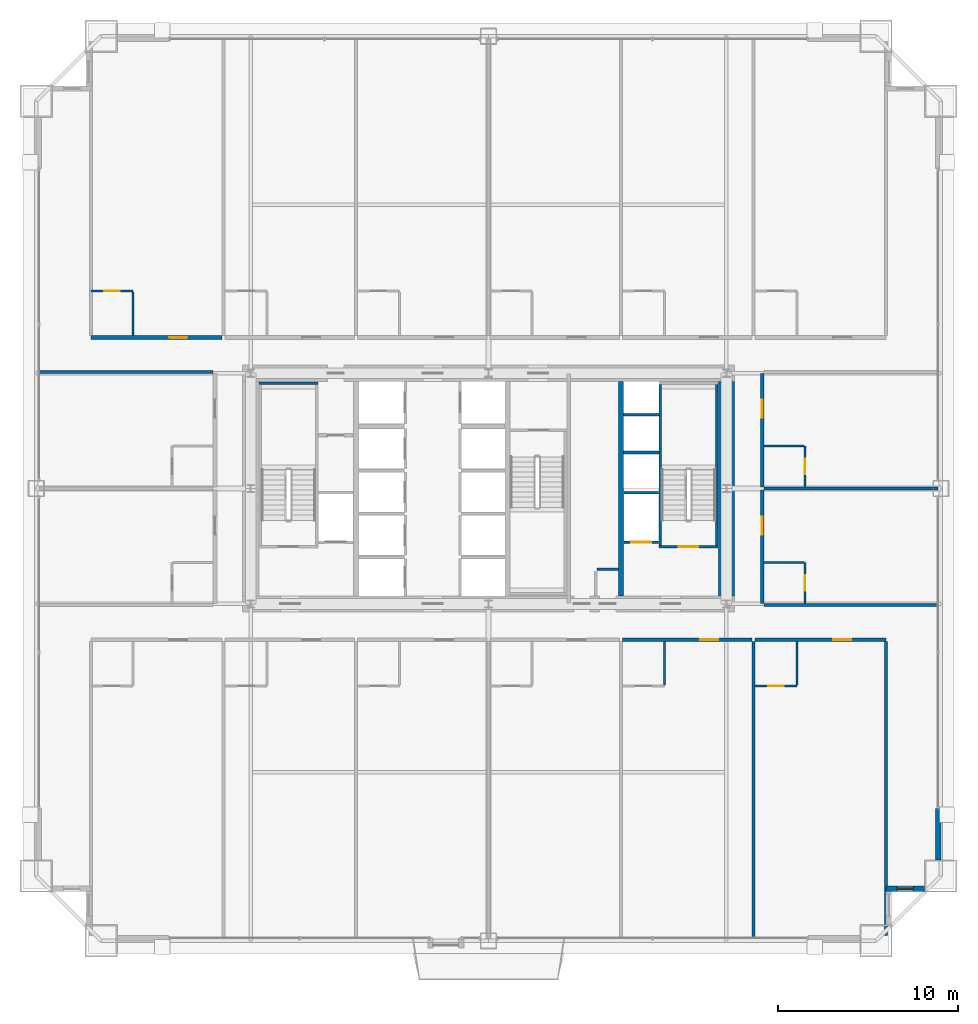
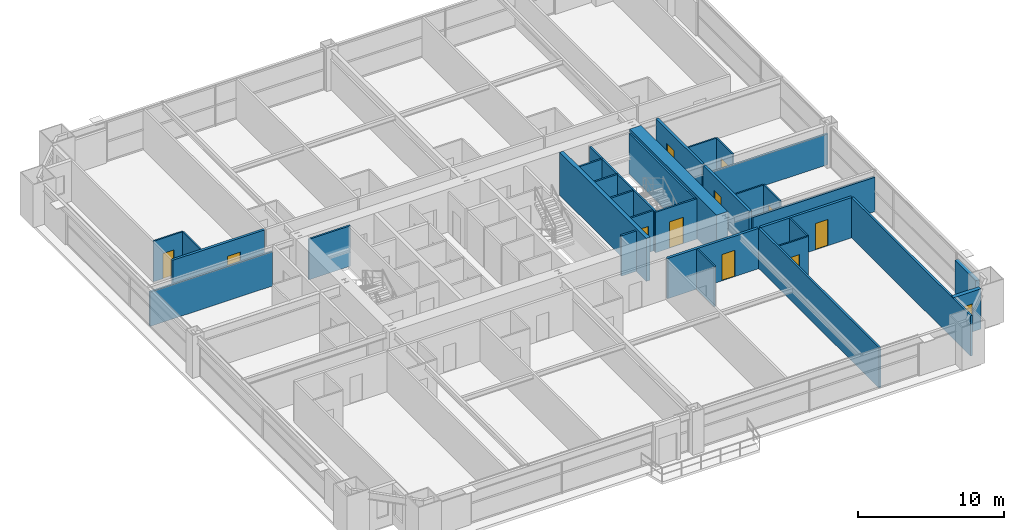
# One storey, part 42 of 45: 32 walls, 11 doors, 1 window, 12 openings.
"""IFC4 building model written with IfcOpenShell, lengths in metres."""

from ifc_helpers import new_model, si_unit, direction, frame, frame_2d, origin, place, context, subcontext, project, spatial, rectangle, extrude, source, transform, mapped, material, layer, layer_set, type_object, element, fill, save


model = new_model("IFC4")

# Units and contexts
model_context = context("Model", 3, precision=1e-05, world=origin(), true_north=direction((0.0, 1.0)))
body_context = subcontext(model_context, "Body", "Model", "MODEL_VIEW")
ifc_project = project(units=[si_unit("LENGTHUNIT", "METRE"), si_unit("AREAUNIT", "SQUARE_METRE"), si_unit("VOLUMEUNIT", "CUBIC_METRE"), si_unit("PLANEANGLEUNIT", "RADIAN"), si_unit("MASSUNIT", "GRAM", prefix="KILO"), si_unit("THERMODYNAMICTEMPERATUREUNIT", "KELVIN"), si_unit("POWERUNIT", "WATT")], contexts=[model_context])

# Site, building, storey
site_placement = place(None, origin())
site = spatial("IfcSite", under=ifc_project, at=site_placement, CompositionType="ELEMENT")
building_placement = place(site_placement, origin())
building = spatial("IfcBuilding", under=site, at=building_placement, Name="Yuzanri Waterfront Tower", CompositionType="ELEMENT")
storey_placement = place(building_placement, frame((0.0, 0.0, 34.199951171875)))
storey = spatial("IfcBuildingStorey", under=building, at=storey_placement, Name="L08", CompositionType="ELEMENT", Elevation=34.199951171875)

# Wall, opening, door
ifc_material_1 = material(Name="Moisture-Resistant Gypsum Stud Wall", Category="gypsum")
ifc_layer_1 = layer(ifc_material_1, 0.1201171875)
ifc_layer_set_1 = layer_set([ifc_layer_1], Name="Moisture-Resistant Gypsum Stud Wall")
wall_type_1 = type_object("IfcWallType", Name="Bathroom and Kitchen Wet Partition 120", PredefinedType="PARTITIONING", material=ifc_layer_set_1)
wall_1_placement = place(storey_placement, frame((51.787109375, 14.840087890625, 0.0), z_axis=(0.0, 0.0, 1.0), x_axis=(1.0, 0.0, 0.0)))
wall_1 = element("IfcWall", 1, at=wall_1_placement, inside=storey, type_object=wall_type_1, Name="L08 Partition UW-L08-S6-BS", PredefinedType="PARTITIONING", context=body_context, shape_type="SweptSolid", body=[
    extrude(rectangle(XDim=2.329833984375, YDim=0.1201171875, at=frame_2d((1.1650390625, 0.0))), origin(), (0.0, 0.0, 1.0), 3.380126953125),
])
opening_1_placement = place(wall_1_placement, frame((0.739990234375, 0.0, 0.0)))
opening_1 = element("IfcOpeningElement", 2, at=opening_1_placement, cuts=wall_1, Name="Opening ID-0850", PredefinedType="OPENING", context=body_context, shape_type="SweptSolid", body=[
    extrude(rectangle(XDim=0.85009765625, YDim=2.10009765625, at=frame_2d((0.425048828125, 1.050048828125))), frame((0.0, 0.074951171875, 0.0), z_axis=(0.0, -1.0, 0.0), x_axis=(1.0, 0.0, 0.0)), (0.0, 0.0, 1.0), 0.14990234375),
])
ifc_material_2 = material(Name="Moisture-Resistant Lacquered Timber", Category="wood")
door_type_1 = type_object("IfcDoorType", Name="En-Suite Bathroom and Kitchen Swing Door 850x2100", OperationType="NOTDEFINED", PredefinedType="DOOR", material=ifc_material_2)
shared_shape_1 = source(origin(), body_context, "Body", "SweptSolid", [
    extrude(rectangle(XDim=0.85009765625, YDim=2.10009765625, at=frame_2d((0.425048828125, 1.050048828125))), frame((0.0, 0.02490234375, 0.0), z_axis=(0.0, -1.0, 0.0), x_axis=(1.0, 0.0, 0.0)), (0.0, 0.0, 1.0), 0.050048828125),
])
door_1_placement = place(opening_1_placement, origin())
door_1 = element("IfcDoor", 3, at=door_1_placement, inside=storey, type_object=door_type_1, Name="L08 Guest En-Suite Door", OperationType="SINGLE_SWING_LEFT", OverallHeight=2.10009765625, OverallWidth=0.85009765625, PredefinedType="DOOR", context=body_context, shape_type="MappedRepresentation", body=[
    mapped(shared_shape_1, transform((0.0, 0.0, 0.0), scale=1.0)),
])
fill(opening_1, door_1)

wall_2_placement = place(storey_placement, frame((14.93994140625, 36.760009765625, 0.0), z_axis=(0.0, 0.0, 1.0), x_axis=(1.0, 0.0, 0.0)))
wall_2 = element("IfcWall", 4, at=wall_2_placement, inside=storey, type_object=wall_type_1, Name="L08 Partition UW-L08-N1-BN", PredefinedType="PARTITIONING", context=body_context, shape_type="SweptSolid", body=[
    extrude(rectangle(XDim=2.330078125, YDim=0.1201171875, at=frame_2d((1.1650390625, 0.0))), origin(), (0.0, 0.0, 1.0), 3.380126953125),
])
opening_2_placement = place(wall_2_placement, frame((0.739990234375, 0.0, 0.0)))
opening_2 = element("IfcOpeningElement", 5, at=opening_2_placement, cuts=wall_2, Name="Opening ID-0850", PredefinedType="OPENING", context=body_context, shape_type="SweptSolid", body=[
    extrude(rectangle(XDim=0.85009765625, YDim=2.10009765625, at=frame_2d((0.425048828125, 1.050048828125))), frame((0.0, 0.074951171875, 0.0), z_axis=(0.0, -1.0, 0.0), x_axis=(1.0, 0.0, 0.0)), (0.0, 0.0, 1.0), 0.14990234375),
])
door_2_placement = place(opening_2_placement, origin())
door_2 = element("IfcDoor", 6, at=door_2_placement, inside=storey, type_object=door_type_1, Name="L08 Guest En-Suite Door", OperationType="SINGLE_SWING_LEFT", OverallHeight=2.10009765625, OverallWidth=0.85009765625, PredefinedType="DOOR", context=body_context, shape_type="MappedRepresentation", body=[
    mapped(shared_shape_1, transform((0.0, 0.0, 0.0), scale=1.0)),
])
fill(opening_2, door_2)

wall_3_placement = place(storey_placement, frame((54.56005859375, 19.409912109375, 0.0), z_axis=(0.0, 0.0, 1.0), x_axis=(0.0, 1.0, 0.0)))
wall_3 = element("IfcWall", 7, at=wall_3_placement, inside=storey, type_object=wall_type_1, Name="L08 Partition UW-L08-E1-BE2", PredefinedType="PARTITIONING", context=body_context, shape_type="SweptSolid", body=[
    extrude(rectangle(XDim=2.280029296875, YDim=0.1201171875, at=frame_2d((1.14013671875, 0.0))), origin(), (0.0, 0.0, 1.0), 3.380126953125),
])
opening_3_placement = place(wall_3_placement, frame((0.715087890625, 0.0, 0.0)))
opening_3 = element("IfcOpeningElement", 8, at=opening_3_placement, cuts=wall_3, Name="Opening ID-0850", PredefinedType="OPENING", context=body_context, shape_type="SweptSolid", body=[
    extrude(rectangle(XDim=0.85009765625, YDim=2.10009765625, at=frame_2d((0.425048828125, 1.050048828125))), frame((0.0, 0.074951171875, 0.0), z_axis=(0.0, -1.0, 0.0), x_axis=(1.0, 0.0, 0.0)), (0.0, 0.0, 1.0), 0.14990234375),
])
door_3_placement = place(opening_3_placement, origin())
door_3 = element("IfcDoor", 9, at=door_3_placement, inside=storey, type_object=door_type_1, Name="L08 Guest En-Suite Door", OperationType="SINGLE_SWING_LEFT", OverallHeight=2.10009765625, OverallWidth=0.85009765625, PredefinedType="DOOR", context=body_context, shape_type="MappedRepresentation", body=[
    mapped(shared_shape_1, transform((0.0, 0.0, 0.0), scale=1.0)),
])
fill(opening_3, door_3)

wall_4_placement = place(storey_placement, frame((54.56005859375, 25.8798828125, 0.0), z_axis=(0.0, 0.0, 1.0), x_axis=(0.0, 1.0, 0.0)))
wall_4 = element("IfcWall", 10, at=wall_4_placement, inside=storey, type_object=wall_type_1, Name="L08 Partition UW-L08-E2-BE2", PredefinedType="PARTITIONING", context=body_context, shape_type="SweptSolid", body=[
    extrude(rectangle(XDim=2.280029296875, YDim=0.1201171875, at=frame_2d((1.14013671875, 0.0))), origin(), (0.0, 0.0, 1.0), 3.380126953125),
])
opening_4_placement = place(wall_4_placement, frame((0.715087890625, 0.0, 0.0)))
opening_4 = element("IfcOpeningElement", 11, at=opening_4_placement, cuts=wall_4, Name="Opening ID-0850", PredefinedType="OPENING", context=body_context, shape_type="SweptSolid", body=[
    extrude(rectangle(XDim=0.85009765625, YDim=2.10009765625, at=frame_2d((0.425048828125, 1.050048828125))), frame((0.0, 0.074951171875, 0.0), z_axis=(0.0, -1.0, 0.0), x_axis=(1.0, 0.0, 0.0)), (0.0, 0.0, 1.0), 0.14990234375),
])
door_4_placement = place(opening_4_placement, origin())
door_4 = element("IfcDoor", 12, at=door_4_placement, inside=storey, type_object=door_type_1, Name="L08 Guest En-Suite Door", OperationType="SINGLE_SWING_LEFT", OverallHeight=2.10009765625, OverallWidth=0.85009765625, PredefinedType="DOOR", context=body_context, shape_type="MappedRepresentation", body=[
    mapped(shared_shape_1, transform((0.0, 0.0, 0.0), scale=1.0)),
])
fill(opening_4, door_4)

# Wall, opening, window
ifc_material_3 = material(Name="Honed Chongqing Dark Basalt Stone", Category="masonry")
ifc_layer_2 = layer(ifc_material_3, 0.300048828125)
ifc_layer_set_2 = layer_set([ifc_layer_2], Name="Honed Chongqing Dark Basalt Stone")
wall_type_2 = type_object("IfcWallType", Name="Bronze Rainscreen Insulated Spandrel Portal Wall 300", PredefinedType="SOLIDWALL", material=ifc_layer_set_2)
wall_5_placement = place(storey_placement, frame((59.050048828125, 3.60009765625, 0.0), z_axis=(0.0, 0.0, 1.0), x_axis=(1.0, 0.0, 0.0)))
wall_5 = element("IfcWall", 13, at=wall_5_placement, inside=storey, type_object=wall_type_2, Name="L08 Notched Corner Masonry Wall SE-X", PredefinedType="SOLIDWALL", context=body_context, shape_type="SweptSolid", body=[
    extrude(rectangle(XDim=2.14990234375, YDim=0.300048828125, at=frame_2d((1.074951171875, 0.0))), origin(), (0.0, 0.0, 1.0), 3.380126953125),
])
opening_5_placement = place(wall_5_placement, frame((0.625, 0.0, 0.85009765625)))
opening_5 = element("IfcOpeningElement", 14, at=opening_5_placement, cuts=wall_5, Name="Opening WN-05", PredefinedType="OPENING", context=body_context, shape_type="SweptSolid", body=[
    extrude(rectangle(XDim=0.89990234375, YDim=1.5, at=frame_2d((0.449951171875, 0.75))), frame((0.0, 0.1650390625, 0.0), z_axis=(0.0, -1.0, 0.0), x_axis=(1.0, 0.0, 0.0)), (0.0, 0.0, 1.0), 0.329833984375),
])
ifc_material_4 = material(Name="Double-Silver Low-E Insulated Glass", Category="glass")
window_type = type_object("IfcWindowType", Name="Anodized Bronze Service and Stairwell Smoke-Vent Window 900x1500", PartitioningType="SINGLE_PANEL", PredefinedType="WINDOW", material=ifc_material_4)
shared_shape_2 = source(origin(), body_context, "Body", "SweptSolid", [
    extrude(rectangle(XDim=0.89990234375, YDim=1.5, at=frame_2d((0.449951171875, 0.75))), frame((0.0, 0.030029296875, 0.0), z_axis=(0.0, -1.0, 0.0), x_axis=(1.0, 0.0, 0.0)), (0.0, 0.0, 1.0), 0.06005859375),
])
window_placement = place(opening_5_placement, origin())
window = element("IfcWindow", 15, at=window_placement, inside=storey, type_object=window_type, Name="L08 Notched Corner Window SE-X", OverallHeight=1.5, OverallWidth=0.89990234375, PartitioningType="SINGLE_PANEL", PredefinedType="WINDOW", context=body_context, shape_type="MappedRepresentation", body=[
    mapped(shared_shape_2, transform((0.0, 0.0, 0.0), scale=1.0)),
])
fill(opening_5, window)

# Wall, opening, door
ifc_material_5 = material(Name="Concrete C40", Category="concrete")
ifc_layer_3 = layer(ifc_material_5, 0.139892578125)
ifc_layer_set_3 = layer_set([ifc_layer_3], Name="Concrete C40")
wall_type_3 = type_object("IfcWallType", Name="Core Stair Liner and Hoistway Shaft Wall 140", PredefinedType="SOLIDWALL", material=ifc_layer_set_3)
wall_6_placement = place(storey_placement, frame((44.52001953125, 22.830078125, 0.0), z_axis=(0.0, 0.0, 1.0), x_axis=(1.0, 0.0, 0.0)))
wall_6 = element("IfcWall", 16, at=wall_6_placement, inside=storey, type_object=wall_type_3, Name="L08 Lift FL-02 Front Shaft Wall", PredefinedType="SOLIDWALL", context=body_context, shape_type="SweptSolid", body=[
    extrude(rectangle(XDim=1.919921875, YDim=0.139892578125, at=frame_2d((0.9599609375, 0.0))), origin(), (0.0, 0.0, 1.0), 3.380126953125),
])
opening_6_placement = place(wall_6_placement, frame((0.409912109375, 0.0, 0.0)))
opening_6 = element("IfcOpeningElement", 17, at=opening_6_placement, cuts=wall_6, Name="Opening LD-FL-02", PredefinedType="OPENING", context=body_context, shape_type="SweptSolid", body=[
    extrude(rectangle(XDim=1.10009765625, YDim=2.199951171875, at=frame_2d((0.550048828125, 1.10009765625))), frame((0.0, 0.0849609375, 0.0), z_axis=(0.0, -1.0, 0.0), x_axis=(1.0, 0.0, 0.0)), (0.0, 0.0, 1.0), 0.169677734375),
])
ifc_material_6 = material(Name="Brushed Bronze and Stainless Steel Cab", Category="steel")
door_type_2 = type_object("IfcDoorType", Name="Center-Parting Bronze Lift Landing Sliding Door 1100x2200", OperationType="NOTDEFINED", PredefinedType="DOOR", material=ifc_material_6)
shared_shape_3 = source(origin(), body_context, "Body", "SweptSolid", [
    extrude(rectangle(XDim=1.10009765625, YDim=2.199951171875, at=frame_2d((0.550048828125, 1.10009765625))), frame((0.0, 0.02490234375, 0.0), z_axis=(0.0, -1.0, 0.0), x_axis=(1.0, 0.0, 0.0)), (0.0, 0.0, 1.0), 0.050048828125),
])
door_5_placement = place(opening_6_placement, origin())
door_5 = element("IfcDoor", 18, at=door_5_placement, inside=storey, type_object=door_type_2, Name="L08 FL-02 Lift Landing Sliding Door", OperationType="SLIDING_TO_RIGHT", OverallHeight=2.199951171875, OverallWidth=1.10009765625, PredefinedType="DOOR", context=body_context, shape_type="MappedRepresentation", body=[
    mapped(shared_shape_3, transform((0.0, 0.0, 0.0), scale=1.0)),
])
fill(opening_6, door_5)

wall_7_placement = place(storey_placement, frame((46.4599609375, 22.570068359375, 0.0), z_axis=(0.0, 0.0, 1.0), x_axis=(1.0, 0.0, 0.0)))
wall_7 = element("IfcWall", 19, at=wall_7_placement, inside=storey, type_object=wall_type_3, Name="L08 Shaft Wall STW-L08-ST-02-S", PredefinedType="SOLIDWALL", context=body_context, shape_type="SweptSolid", body=[
    extrude(rectangle(XDim=3.280029296875, YDim=0.139892578125, at=frame_2d((1.64013671875, 0.0))), origin(), (0.0, 0.0, 1.0), 3.380126953125),
])
opening_7_placement = place(wall_7_placement, frame((1.090087890625, 0.0, 0.0)))
opening_7 = element("IfcOpeningElement", 20, at=opening_7_placement, cuts=wall_7, Name="Opening FD-1100", PredefinedType="OPENING", context=body_context, shape_type="SweptSolid", body=[
    extrude(rectangle(XDim=1.10009765625, YDim=2.199951171875, at=frame_2d((0.550048828125, 1.10009765625))), frame((0.0, 0.0849609375, 0.0), z_axis=(0.0, -1.0, 0.0), x_axis=(1.0, 0.0, 0.0)), (0.0, 0.0, 1.0), 0.169677734375),
])
ifc_material_7 = material(Name="Painted Galvanized Fire Steel", Category="steel")
door_type_3 = type_object("IfcDoorType", Name="Smoke-Proof Stair and Lobby Fire Door 1100x2200", OperationType="NOTDEFINED", PredefinedType="DOOR", material=ifc_material_7)
shared_shape_4 = source(origin(), body_context, "Body", "SweptSolid", [
    extrude(rectangle(XDim=1.10009765625, YDim=2.199951171875, at=frame_2d((0.550048828125, 1.10009765625))), frame((0.0, 0.02490234375, 0.0), z_axis=(0.0, -1.0, 0.0), x_axis=(1.0, 0.0, 0.0)), (0.0, 0.0, 1.0), 0.050048828125),
])
door_6_placement = place(opening_7_placement, origin())
door_6 = element("IfcDoor", 21, at=door_6_placement, inside=storey, type_object=door_type_3, Name="L08 Stair ST-02 Fire Door", OperationType="SINGLE_SWING_LEFT", OverallHeight=2.199951171875, OverallWidth=1.10009765625, PredefinedType="DOOR", context=body_context, shape_type="MappedRepresentation", body=[
    mapped(shared_shape_4, transform((0.0, 0.0, 0.0), scale=1.0)),
])
fill(opening_7, door_6)

ifc_material_8 = material(Name="Autoclaved Aerated Concrete Blockwork", Category="masonry")
ifc_layer_4 = layer(ifc_material_8, 0.199951171875)
ifc_layer_set_4 = layer_set([ifc_layer_4], Name="Autoclaved Aerated Concrete Blockwork")
wall_type_4 = type_object("IfcWallType", Name="Corridor and Unit Party Fire Wall 200", PredefinedType="PARTITIONING", material=ifc_layer_set_4)
wall_8_placement = place(storey_placement, frame((44.43310546875, 17.419921875, 0.0), z_axis=(0.0, 0.0, 1.0), x_axis=(1.0, 0.0, 0.0)))
wall_8 = element("IfcWall", 22, at=wall_8_placement, inside=storey, type_object=wall_type_4, Name="L08 Partition UW-L08-S5-CN", PredefinedType="PARTITIONING", context=body_context, shape_type="SweptSolid", body=[
    extrude(rectangle(XDim=7.19384765625, YDim=0.199951171875, at=frame_2d((3.596923828125, 0.0))), origin(), (0.0, 0.0, 1.0), 3.380126953125),
])
opening_8_placement = place(wall_8_placement, frame((4.302001953125, 0.0, 0.0)))
opening_8 = element("IfcOpeningElement", 23, at=opening_8_placement, cuts=wall_8, Name="Opening FD-1000", PredefinedType="OPENING", context=body_context, shape_type="SweptSolid", body=[
    extrude(rectangle(XDim=1.0, YDim=2.199951171875, at=frame_2d((0.5, 1.10009765625))), frame((0.0, 0.11474609375, 0.0), z_axis=(0.0, -1.0, 0.0), x_axis=(1.0, 0.0, 0.0)), (0.0, 0.0, 1.0), 0.229736328125),
])
ifc_material_9 = material(Name="Engineered Oak Fire-Rated Timber", Category="wood")
door_type_4 = type_object("IfcDoorType", Name="Guestroom and Apartment Entrance Fire Door 1000x2200", OperationType="NOTDEFINED", PredefinedType="DOOR", material=ifc_material_9)
shared_shape_5 = source(origin(), body_context, "Body", "SweptSolid", [
    extrude(rectangle(XDim=1.0, YDim=2.199951171875, at=frame_2d((0.5, 1.10009765625))), frame((0.0, 0.02490234375, 0.0), z_axis=(0.0, -1.0, 0.0), x_axis=(1.0, 0.0, 0.0)), (0.0, 0.0, 1.0), 0.050048828125),
])
door_7_placement = place(opening_8_placement, origin())
door_7 = element("IfcDoor", 24, at=door_7_placement, inside=storey, type_object=door_type_4, Name="L08 Premier King Junior Suite Entrance Door", OperationType="SINGLE_SWING_RIGHT", OverallHeight=2.199951171875, OverallWidth=1.0, PredefinedType="DOOR", context=body_context, shape_type="MappedRepresentation", body=[
    mapped(shared_shape_5, transform((0.0, 0.0, 0.0), scale=1.0)),
])
fill(opening_8, door_7)

wall_9_placement = place(storey_placement, frame((51.787109375, 17.419921875, 0.0), z_axis=(0.0, 0.0, 1.0), x_axis=(1.0, 0.0, 0.0)))
wall_9 = element("IfcWall", 25, at=wall_9_placement, inside=storey, type_object=wall_type_4, Name="L08 Partition UW-L08-S6-CN", PredefinedType="PARTITIONING", context=body_context, shape_type="SweptSolid", body=[
    extrude(rectangle(XDim=7.27294921875, YDim=0.199951171875, at=frame_2d((3.636474609375, 0.0))), origin(), (0.0, 0.0, 1.0), 3.380126953125),
])
opening_9_placement = place(wall_9_placement, frame((4.342041015625, 0.0, 0.0)))
opening_9 = element("IfcOpeningElement", 26, at=opening_9_placement, cuts=wall_9, Name="Opening FD-1000", PredefinedType="OPENING", context=body_context, shape_type="SweptSolid", body=[
    extrude(rectangle(XDim=1.0, YDim=2.199951171875, at=frame_2d((0.5, 1.10009765625))), frame((0.0, 0.11474609375, 0.0), z_axis=(0.0, -1.0, 0.0), x_axis=(1.0, 0.0, 0.0)), (0.0, 0.0, 1.0), 0.229736328125),
])
door_8_placement = place(opening_9_placement, origin())
door_8 = element("IfcDoor", 27, at=door_8_placement, inside=storey, type_object=door_type_4, Name="L08 Premier King Junior Suite Entrance Door", OperationType="SINGLE_SWING_RIGHT", OverallHeight=2.199951171875, OverallWidth=1.0, PredefinedType="DOOR", context=body_context, shape_type="MappedRepresentation", body=[
    mapped(shared_shape_5, transform((0.0, 0.0, 0.0), scale=1.0)),
])
fill(opening_9, door_8)

wall_10_placement = place(storey_placement, frame((14.93994140625, 34.179931640625, 0.0), z_axis=(0.0, 0.0, 1.0), x_axis=(1.0, 0.0, 0.0)))
wall_10 = element("IfcWall", 28, at=wall_10_placement, inside=storey, type_object=wall_type_4, Name="L08 Partition UW-L08-N1-CS", PredefinedType="PARTITIONING", context=body_context, shape_type="SweptSolid", body=[
    extrude(rectangle(XDim=7.27294921875, YDim=0.199951171875, at=frame_2d((3.636474609375, 0.0))), origin(), (0.0, 0.0, 1.0), 3.380126953125),
])
opening_10_placement = place(wall_10_placement, frame((4.342041015625, 0.0, 0.0)))
opening_10 = element("IfcOpeningElement", 29, at=opening_10_placement, cuts=wall_10, Name="Opening FD-1000", PredefinedType="OPENING", context=body_context, shape_type="SweptSolid", body=[
    extrude(rectangle(XDim=1.0, YDim=2.199951171875, at=frame_2d((0.5, 1.10009765625))), frame((0.0, 0.11474609375, 0.0), z_axis=(0.0, -1.0, 0.0), x_axis=(1.0, 0.0, 0.0)), (0.0, 0.0, 1.0), 0.229736328125),
])
door_9_placement = place(opening_10_placement, origin())
door_9 = element("IfcDoor", 30, at=door_9_placement, inside=storey, type_object=door_type_4, Name="L08 Deluxe Cityview Junior Suite Entrance Door", OperationType="SINGLE_SWING_RIGHT", OverallHeight=2.199951171875, OverallWidth=1.0, PredefinedType="DOOR", context=body_context, shape_type="MappedRepresentation", body=[
    mapped(shared_shape_5, transform((0.0, 0.0, 0.0), scale=1.0)),
])
fill(opening_10, door_9)

wall_11_placement = place(storey_placement, frame((52.179931640625, 19.409912109375, 0.0), z_axis=(0.0, 0.0, 1.0), x_axis=(0.0, 1.0, 0.0)))
wall_11 = element("IfcWall", 31, at=wall_11_placement, inside=storey, type_object=wall_type_4, Name="L08 Partition UW-L08-E1-CW", PredefinedType="PARTITIONING", context=body_context, shape_type="SweptSolid", body=[
    extrude(rectangle(XDim=6.31005859375, YDim=0.199951171875, at=frame_2d((3.155029296875, 0.0))), origin(), (0.0, 0.0, 1.0), 3.380126953125),
])
opening_11_placement = place(wall_11_placement, frame((3.8349609375, 0.0, 0.0)))
opening_11 = element("IfcOpeningElement", 32, at=opening_11_placement, cuts=wall_11, Name="Opening FD-1000", PredefinedType="OPENING", context=body_context, shape_type="SweptSolid", body=[
    extrude(rectangle(XDim=1.0, YDim=2.199951171875, at=frame_2d((0.5, 1.10009765625))), frame((0.0, 0.11474609375, 0.0), z_axis=(0.0, -1.0, 0.0), x_axis=(1.0, 0.0, 0.0)), (0.0, 0.0, 1.0), 0.229736328125),
])
door_10_placement = place(opening_11_placement, origin())
door_10 = element("IfcDoor", 33, at=door_10_placement, inside=storey, type_object=door_type_4, Name="L08 Confluence Suite Entrance Door", OperationType="SINGLE_SWING_RIGHT", OverallHeight=2.199951171875, OverallWidth=1.0, PredefinedType="DOOR", context=body_context, shape_type="MappedRepresentation", body=[
    mapped(shared_shape_5, transform((0.0, 0.0, 0.0), scale=1.0)),
])
fill(opening_11, door_10)

wall_12_placement = place(storey_placement, frame((52.179931640625, 25.8798828125, 0.0), z_axis=(0.0, 0.0, 1.0), x_axis=(0.0, 1.0, 0.0)))
wall_12 = element("IfcWall", 34, at=wall_12_placement, inside=storey, type_object=wall_type_4, Name="L08 Partition UW-L08-E2-CW", PredefinedType="PARTITIONING", context=body_context, shape_type="SweptSolid", body=[
    extrude(rectangle(XDim=6.31005859375, YDim=0.199951171875, at=frame_2d((3.155029296875, 0.0))), origin(), (0.0, 0.0, 1.0), 3.380126953125),
])
opening_12_placement = place(wall_12_placement, frame((3.8349609375, 0.0, 0.0)))
opening_12 = element("IfcOpeningElement", 35, at=opening_12_placement, cuts=wall_12, Name="Opening FD-1000", PredefinedType="OPENING", context=body_context, shape_type="SweptSolid", body=[
    extrude(rectangle(XDim=1.0, YDim=2.199951171875, at=frame_2d((0.5, 1.10009765625))), frame((0.0, 0.11474609375, 0.0), z_axis=(0.0, -1.0, 0.0), x_axis=(1.0, 0.0, 0.0)), (0.0, 0.0, 1.0), 0.229736328125),
])
door_11_placement = place(opening_12_placement, origin())
door_11 = element("IfcDoor", 36, at=door_11_placement, inside=storey, type_object=door_type_4, Name="L08 Confluence Suite Entrance Door", OperationType="SINGLE_SWING_RIGHT", OverallHeight=2.199951171875, OverallWidth=1.0, PredefinedType="DOOR", context=body_context, shape_type="MappedRepresentation", body=[
    mapped(shared_shape_5, transform((0.0, 0.0, 0.0), scale=1.0)),
])
fill(opening_12, door_11)

# Walls
ifc_material_10 = material(Name="Concrete C60", Category="concrete")
ifc_layer_5 = layer(ifc_material_10, 0.89990234375)
ifc_layer_set_5 = layer_set([ifc_layer_5], Name="Concrete C60")
wall_type_5 = type_object("IfcWallType", Name="Concrete C60 Lower Zone Core Shear Wall 900", PredefinedType="SHEAR", material=ifc_layer_set_5)
shared_shape_6 = source(origin(), body_context, "Body", "SweptSolid", [
    extrude(rectangle(XDim=11.89990234375, YDim=0.89990234375, at=frame_2d((5.949951171875, 0.0))), origin(), (0.0, 0.0, 1.0), 3.60009765625),
])
wall_13_placement = place(storey_placement, frame((50.199951171875, 19.85009765625, 0.0), z_axis=(0.0, 0.0, 1.0), x_axis=(0.0, 1.0, 0.0)))
element("IfcWall", 37, at=wall_13_placement, inside=storey, type_object=wall_type_5, Name="L08 Core East Shear Wall", PredefinedType="SHEAR", context=body_context, shape_type="MappedRepresentation", body=[
    mapped(shared_shape_6, transform((0.0, 0.0, 0.0), scale=1.0)),
])
ifc_material_11 = material(Name="Concrete C50", Category="concrete")
ifc_layer_6 = layer(ifc_material_11, 0.300048828125)
ifc_layer_set_6 = layer_set([ifc_layer_6], Name="Concrete C50")
wall_type_6 = type_object("IfcWallType", Name="Concrete C50 Internal Core Shaft Structural Wall 300", PredefinedType="SOLIDWALL", material=ifc_layer_set_6)
shared_shape_7 = source(origin(), body_context, "Body", "SweptSolid", [
    extrude(rectangle(XDim=11.89990234375, YDim=0.300048828125, at=frame_2d((5.949951171875, 0.0))), origin(), (0.0, 0.0, 1.0), 3.60009765625),
])
wall_14_placement = place(storey_placement, frame((44.35009765625, 19.85009765625, 0.0), z_axis=(0.0, 0.0, 1.0), x_axis=(0.0, 1.0, 0.0)))
element("IfcWall", 38, at=wall_14_placement, inside=storey, type_object=wall_type_6, Name="L08 Core Internal Structural Web Wall 3", PredefinedType="SOLIDWALL", context=body_context, shape_type="MappedRepresentation", body=[
    mapped(shared_shape_7, transform((0.0, 0.0, 0.0), scale=1.0)),
])
shared_shape_8 = source(origin(), body_context, "Body", "SweptSolid", [
    extrude(rectangle(XDim=2.85009765625, YDim=0.300048828125, at=frame_2d((1.425048828125, 0.0))), origin(), (0.0, 0.0, 1.0), 2.775146484375),
])
wall_15_placement = place(storey_placement, frame((61.949951171875, 5.199951171875, 0.0), z_axis=(0.0, 0.0, 1.0), x_axis=(0.0, 1.0, 0.0)))
element("IfcWall", 39, at=wall_15_placement, inside=storey, type_object=wall_type_2, Name="L08 E Left Braced Masonry Shoulder", PredefinedType="SOLIDWALL", context=body_context, shape_type="MappedRepresentation", body=[
    mapped(shared_shape_8, transform((0.0, 0.0, 0.0), scale=1.0)),
])
shared_shape_9 = source(origin(), body_context, "Body", "SweptSolid", [
    extrude(rectangle(XDim=1.919921875, YDim=0.139892578125, at=frame_2d((0.9599609375, 0.0))), origin(), (0.0, 0.0, 1.0), 3.380126953125),
])
wall_16_placement = place(storey_placement, frame((44.52001953125, 25.570068359375, 0.0), z_axis=(0.0, 0.0, 1.0), x_axis=(1.0, 0.0, 0.0)))
element("IfcWall", 40, at=wall_16_placement, inside=storey, type_object=wall_type_3, Name="L08 Lift FL-02 Back Shaft Wall", PredefinedType="SOLIDWALL", context=body_context, shape_type="MappedRepresentation", body=[
    mapped(shared_shape_9, transform((0.0, 0.0, 0.0), scale=1.0)),
])
shared_shape_10 = source(origin(), body_context, "Body", "SweptSolid", [
    extrude(rectangle(XDim=2.0, YDim=0.139892578125, at=frame_2d((1.0, 0.0))), origin(), (0.0, 0.0, 1.0), 3.380126953125),
])
for number, where, z_axis, x_axis, name in (
    (41, (44.5, 27.800048828125, 0.0), (0.0, 0.0, 1.0), (1.0, 0.0, 0.0), "L08 Lift PL-09 Divider Wall"),
    (42, (44.5, 29.89990234375, 0.0), (0.0, 0.0, 1.0), (1.0, 0.0, 0.0), "L08 Lift PL-10 Divider Wall"),
):
    element("IfcWall", number, at=place(storey_placement, frame(where, z_axis=z_axis, x_axis=x_axis)), inside=storey, type_object=wall_type_3, Name=name, PredefinedType="SOLIDWALL", context=body_context, shape_type="MappedRepresentation", body=[
        mapped(shared_shape_10, transform((0.0, 0.0, 0.0), scale=1.0)),
    ])
ifc_material_12 = material(Name="Gypsum Fireboard Acoustic Stud Wall", Category="gypsum")
ifc_layer_7 = layer(ifc_material_12, 0.159912109375)
ifc_layer_set_7 = layer_set([ifc_layer_7], Name="Gypsum Fireboard Acoustic Stud Wall")
wall_type_7 = type_object("IfcWallType", Name="Acoustic Suite Demising Partition 160", PredefinedType="PARTITIONING", material=ifc_layer_set_7)
shared_shape_11 = source(origin(), body_context, "Body", "SweptSolid", [
    extrude(rectangle(XDim=9.669921875, YDim=0.159912109375, at=frame_2d((4.8349609375, 0.0))), origin(), (0.0, 0.0, 1.0), 2.574951171875),
])
wall_17_placement = place(storey_placement, frame((52.280029296875, 25.800048828125, 0.0), z_axis=(0.0, 0.0, 1.0), x_axis=(1.0, 0.0, 0.0)))
element("IfcWall", 43, at=wall_17_placement, inside=storey, type_object=wall_type_7, Name="L08-E1 Wing Party Wall", PredefinedType="PARTITIONING", context=body_context, shape_type="MappedRepresentation", body=[
    mapped(shared_shape_11, transform((0.0, 0.0, 0.0), scale=1.0)),
])
shared_shape_12 = source(origin(), body_context, "Body", "SweptSolid", [
    extrude(rectangle(XDim=9.669921875, YDim=0.159912109375, at=frame_2d((4.8349609375, 0.0))), origin(), (0.0, 0.0, 1.0), 2.875),
])
for number, where, z_axis, x_axis, name in (
    (44, (12.050048828125, 32.27001953125, 0.0), (0.0, 0.0, 1.0), (1.0, 0.0, 0.0), "L08-W2 Wing North End Wall"),
    (45, (52.280029296875, 19.330078125, 0.0), (0.0, 0.0, 1.0), (1.0, 0.0, 0.0), "L08-E1 Wing South End Wall"),
):
    element("IfcWall", number, at=place(storey_placement, frame(where, z_axis=z_axis, x_axis=x_axis)), inside=storey, type_object=wall_type_7, Name=name, PredefinedType="PARTITIONING", context=body_context, shape_type="MappedRepresentation", body=[
        mapped(shared_shape_12, transform((0.0, 0.0, 0.0), scale=1.0)),
    ])
shared_shape_13 = source(origin(), body_context, "Body", "SweptSolid", [
    extrude(rectangle(XDim=3.280029296875, YDim=0.139892578125, at=frame_2d((1.64013671875, 0.0))), origin(), (0.0, 0.0, 1.0), 3.380126953125),
])
wall_18_placement = place(storey_placement, frame((24.260009765625, 31.64990234375, 0.0), z_axis=(0.0, 0.0, 1.0), x_axis=(1.0, 0.0, 0.0)))
element("IfcWall", 46, at=wall_18_placement, inside=storey, type_object=wall_type_3, Name="L08 Stair ST-01 North Shaft Wall", PredefinedType="SOLIDWALL", context=body_context, shape_type="MappedRepresentation", body=[
    mapped(shared_shape_13, transform((0.0, 0.0, 0.0), scale=1.0)),
])
shared_shape_14 = source(origin(), body_context, "Body", "SweptSolid", [
    extrude(rectangle(XDim=8.940185546875, YDim=0.139892578125, at=frame_2d((4.47021484375, 0.0))), origin(), (0.0, 0.0, 1.0), 3.380126953125),
])
for number, where, z_axis, x_axis, name in (
    (47, (46.530029296875, 22.639892578125, 0.0), (0.0, 0.0, 1.0), (0.0, 1.0, 0.0), "L08 Stair ST-02 West Shaft Wall"),
    (48, (49.669921875, 22.639892578125, 0.0), (0.0, 0.0, 1.0), (0.0, 1.0, 0.0), "L08 Stair ST-02 East Shaft Wall"),
):
    element("IfcWall", number, at=place(storey_placement, frame(where, z_axis=z_axis, x_axis=x_axis)), inside=storey, type_object=wall_type_3, Name=name, PredefinedType="SOLIDWALL", context=body_context, shape_type="MappedRepresentation", body=[
        mapped(shared_shape_14, transform((0.0, 0.0, 0.0), scale=1.0)),
    ])
shared_shape_15 = source(origin(), body_context, "Body", "SweptSolid", [
    extrude(rectangle(XDim=1.169921875, YDim=0.159912109375, at=frame_2d((0.5849609375, 0.0))), origin(), (0.0, 0.0, 1.0), 3.380126953125),
])
wall_19_placement = place(storey_placement, frame((43.030029296875, 21.320068359375, 0.0), z_axis=(0.0, 0.0, 1.0), x_axis=(1.0, 0.0, 0.0)))
element("IfcWall", 49, at=wall_19_placement, inside=storey, type_object=wall_type_7, Name="L08 East Wet Riser North Wall", PredefinedType="PARTITIONING", context=body_context, shape_type="MappedRepresentation", body=[
    mapped(shared_shape_15, transform((0.0, 0.0, 0.0), scale=1.0)),
])
shared_shape_16 = source(origin(), body_context, "Body", "SweptSolid", [
    extrude(rectangle(XDim=16.469970703125, YDim=0.159912109375, at=frame_2d((8.23486328125, 0.0))), origin(), (0.0, 0.0, 1.0), 3.380126953125),
])
wall_20_placement = place(storey_placement, frame((51.70703125, 0.85009765625, 0.0), z_axis=(0.0, 0.0, 1.0), x_axis=(0.0, 1.0, 0.0)))
element("IfcWall", 50, at=wall_20_placement, inside=storey, type_object=wall_type_7, Name="L08-S5 Party Wall", PredefinedType="PARTITIONING", context=body_context, shape_type="MappedRepresentation", body=[
    mapped(shared_shape_16, transform((0.0, 0.0, 0.0), scale=1.0)),
])
shared_shape_17 = source(origin(), body_context, "Body", "SweptSolid", [
    extrude(rectangle(XDim=2.420166015625, YDim=0.1201171875, at=frame_2d((1.2099609375, 0.0))), origin(), (0.0, 0.0, 1.0), 3.380126953125),
])
for number, where, z_axis, x_axis, name in (
    (51, (46.762939453125, 14.89990234375, 0.0), (0.0, 0.0, 1.0), (0.0, 1.0, 0.0), "L08-S5 En-Suite Side Wall"),
    (52, (54.116943359375, 14.89990234375, 0.0), (0.0, 0.0, 1.0), (0.0, 1.0, 0.0), "L08-S6 En-Suite Side Wall"),
):
    element("IfcWall", number, at=place(storey_placement, frame(where, z_axis=z_axis, x_axis=x_axis)), inside=storey, type_object=wall_type_1, Name=name, PredefinedType="PARTITIONING", context=body_context, shape_type="MappedRepresentation", body=[
        mapped(shared_shape_17, transform((0.0, 0.0, 0.0), scale=1.0)),
    ])
shared_shape_18 = source(origin(), body_context, "Body", "SweptSolid", [
    extrude(rectangle(XDim=16.320068359375, YDim=0.159912109375, at=frame_2d((8.16015625, 0.0))), origin(), (0.0, 0.0, 1.0), 3.380126953125),
])
wall_21_placement = place(storey_placement, frame((59.050048828125, 1.0, 0.0), z_axis=(0.0, 0.0, 1.0), x_axis=(0.0, 1.0, 0.0)))
element("IfcWall", 53, at=wall_21_placement, inside=storey, type_object=wall_type_7, Name="L08 South Band East End Wall", PredefinedType="PARTITIONING", context=body_context, shape_type="MappedRepresentation", body=[
    mapped(shared_shape_18, transform((0.0, 0.0, 0.0), scale=1.0)),
])
shared_shape_19 = source(origin(), body_context, "Body", "SweptSolid", [
    extrude(rectangle(XDim=2.419921875, YDim=0.1201171875, at=frame_2d((1.2099609375, 0.0))), origin(), (0.0, 0.0, 1.0), 3.380126953125),
])
wall_22_placement = place(storey_placement, frame((17.27001953125, 34.280029296875, 0.0), z_axis=(0.0, 0.0, 1.0), x_axis=(0.0, 1.0, 0.0)))
element("IfcWall", 54, at=wall_22_placement, inside=storey, type_object=wall_type_1, Name="L08-N1 En-Suite Side Wall", PredefinedType="PARTITIONING", context=body_context, shape_type="MappedRepresentation", body=[
    mapped(shared_shape_19, transform((0.0, 0.0, 0.0), scale=1.0)),
])
shared_shape_20 = source(origin(), body_context, "Body", "SweptSolid", [
    extrude(rectangle(XDim=2.219970703125, YDim=0.1201171875, at=frame_2d((1.10986328125, 0.0))), origin(), (0.0, 0.0, 1.0), 3.380126953125),
])
for number, where, z_axis, x_axis, name in (
    (55, (52.280029296875, 21.68994140625, 0.0), (0.0, 0.0, 1.0), (1.0, 0.0, 0.0), "L08-E1 En-Suite Top Wall"),
    (56, (52.280029296875, 28.159912109375, 0.0), (0.0, 0.0, 1.0), (1.0, 0.0, 0.0), "L08-E2 En-Suite Top Wall"),
):
    element("IfcWall", number, at=place(storey_placement, frame(where, z_axis=z_axis, x_axis=x_axis)), inside=storey, type_object=wall_type_1, Name=name, PredefinedType="PARTITIONING", context=body_context, shape_type="MappedRepresentation", body=[
        mapped(shared_shape_20, transform((0.0, 0.0, 0.0), scale=1.0)),
    ])

save(model, "model.ifc")
